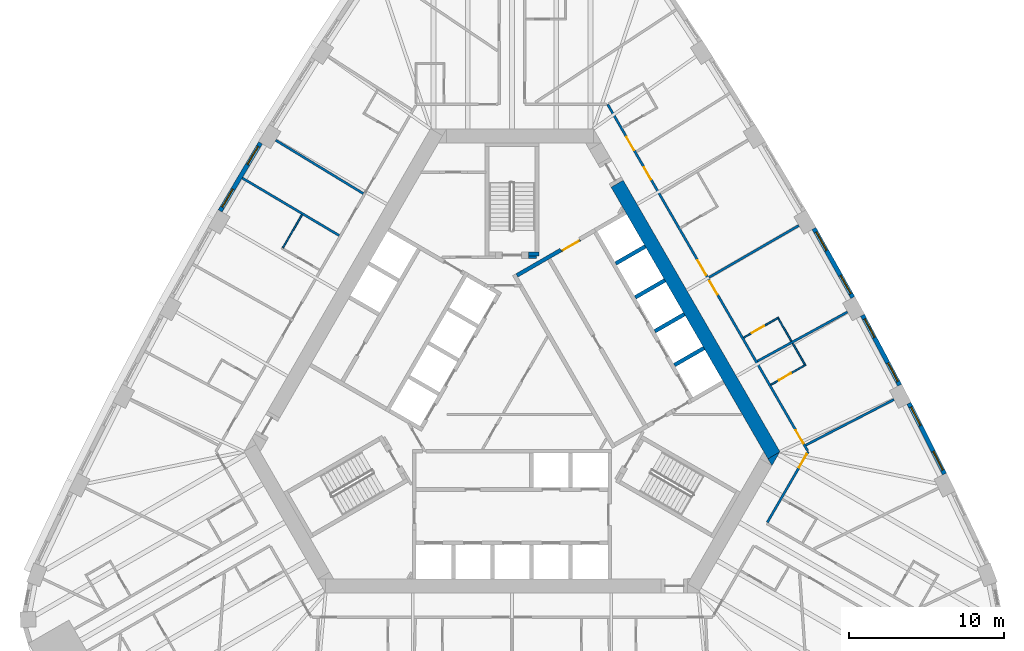
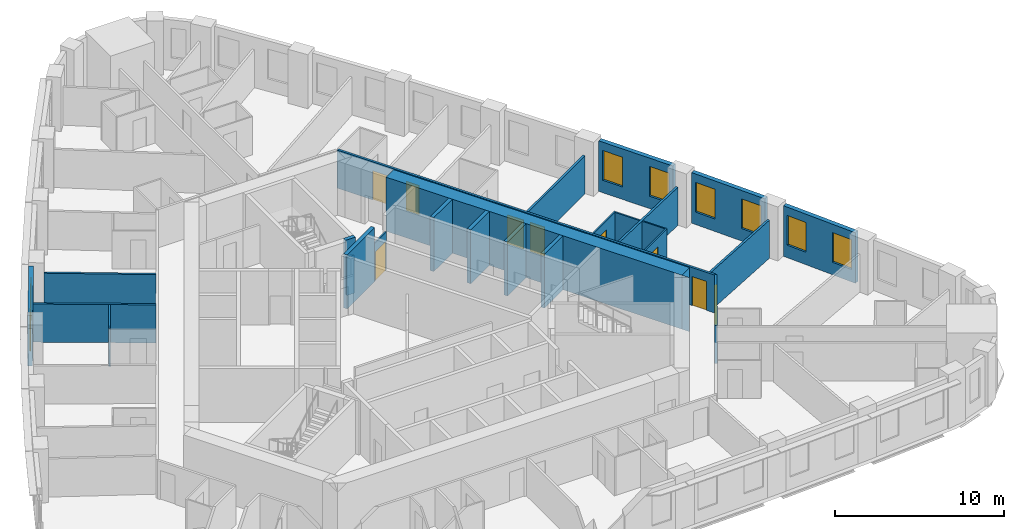
# One storey, part 9 of 13: 26 walls, 9 doors, 8 windows, 17 openings.
"""IFC4 building model written with IfcOpenShell, lengths in metres."""

from ifc_helpers import new_model, si_unit, direction, frame, frame_2d, origin, place, context, subcontext, project, spatial, polyline, rectangle, outline, extrude, material, layer, layer_set, type_object, element, fill, save


model = new_model("IFC4")

# Units and contexts
model_context = context("Model", 3, precision=1e-05, world=origin(), true_north=direction((0.0, 1.0)))
body_context = subcontext(model_context, "Body", "Model", "MODEL_VIEW")
ifc_project = project(units=[si_unit("LENGTHUNIT", "METRE"), si_unit("AREAUNIT", "SQUARE_METRE"), si_unit("VOLUMEUNIT", "CUBIC_METRE"), si_unit("PLANEANGLEUNIT", "RADIAN"), si_unit("MASSUNIT", "GRAM", prefix="KILO")], contexts=[model_context])

# Site, building, storey
site_placement = place(None, origin())
site = spatial("IfcSite", under=ifc_project, at=site_placement, CompositionType="ELEMENT")
building_placement = place(site_placement, origin())
building = spatial("IfcBuilding", under=site, at=building_placement, Name="Mestral Congress Tower", CompositionType="ELEMENT")
storey_placement = place(building_placement, frame((0.0, 0.0, 95.39990234375)))
storey = spatial("IfcBuildingStorey", under=building, at=storey_placement, Name="L22", CompositionType="ELEMENT", Elevation=95.39990234375)

# Wall
ifc_material_1 = material(Name="Fire-rated board partition")
ifc_layer_1 = layer(ifc_material_1, 0.14990234375)
ifc_layer_set_1 = layer_set([ifc_layer_1], Name="Fire-rated board partition")
wall_type_1 = type_object("IfcWallType", Name="Core partition 150", PredefinedType="PARTITIONING", material=ifc_layer_set_1)
wall_1_placement = place(storey_placement, frame((1.050048828125, 8.62548828125, 0.0), z_axis=(0.0, 0.0, 1.0), x_axis=(1.0, 0.0, 0.0)))
element("IfcWall", 1, at=wall_1_placement, inside=storey, type_object=wall_type_1, Name="L22 core wall", PredefinedType="PARTITIONING", context=body_context, shape_type="SweptSolid", body=[
    extrude(rectangle(XDim=0.513916015625, YDim=0.14990234375, at=frame_2d((0.2568359375, 0.0))), origin(), (0.0, 0.0, 1.0), 2.75),
])

# Wall, opening, door
ifc_layer_2 = layer(ifc_material_1, 0.090087890625)
ifc_layer_set_2 = layer_set([ifc_layer_2], Name="Fire-rated board partition")
wall_type_2 = type_object("IfcWallType", Name="Core partition 150 door-wall 90", PredefinedType="PARTITIONING", material=ifc_layer_set_2)
wall_2_placement = place(storey_placement, frame((3.182861328125, 9.02001953125, 0.0), z_axis=(0.0, 0.0, 1.0), x_axis=(0.866034573852, 0.49998411664, 0.0)))
wall_2 = element("IfcWall", 2, at=wall_2_placement, inside=storey, type_object=wall_type_2, Name="L22 door wall", PredefinedType="PARTITIONING", context=body_context, shape_type="SweptSolid", body=[
    extrude(rectangle(XDim=1.39990234375, YDim=0.090087890625, at=frame_2d((0.699951171875, 0.0))), origin(), (0.0, 0.0, 1.0), 2.75),
])
opening_1_placement = place(wall_2_placement, frame((0.10009765625, 0.0, 0.0)))
opening_1 = element("IfcOpeningElement", 3, at=opening_1_placement, cuts=wall_2, Name="Opening LB1-WL2", PredefinedType="OPENING", context=body_context, shape_type="SweptSolid", body=[
    extrude(rectangle(XDim=1.199951171875, YDim=2.10009765625, at=frame_2d((0.60009765625, 1.050048828125))), frame((0.0, 0.054931640625, 0.0), z_axis=(0.0, -1.0, 0.0), x_axis=(1.0, 0.0, 0.0)), (0.0, 0.0, 1.0), 0.110107421875),
])
ifc_material_2 = material(Name="Fire-rated steel door set", Category="steel")
door_type_1 = type_object("IfcDoorType", Name="Core door LB 1200x2100", OperationType="SINGLE_SWING_LEFT", PredefinedType="DOOR", material=ifc_material_2)
door_1_placement = place(opening_1_placement, origin())
door_1 = element("IfcDoor", 4, at=door_1_placement, inside=storey, type_object=door_type_1, Name="Door LB1-WL2", OperationType="SINGLE_SWING_LEFT", OverallHeight=2.10009765625, OverallWidth=1.199951171875, PredefinedType="DOOR", context=body_context, shape_type="SweptSolid", body=[
    extrude(rectangle(XDim=1.199951171875, YDim=2.10009765625, at=frame_2d((0.60009765625, 1.050048828125))), frame((0.0, 0.02490234375, 0.0), z_axis=(0.0, -1.0, 0.0), x_axis=(1.0, 0.0, 0.0)), (0.0, 0.0, 1.0), 0.050048828125),
])
fill(opening_1, door_1)

# Walls
ifc_material_3 = material(Name="Concrete C60/75", Category="concrete")
ifc_layer_3 = layer(ifc_material_3, 0.89990234375)
ifc_layer_set_3 = layer_set([ifc_layer_3], Name="Concrete C60/75")
wall_type_3 = type_object("IfcWallType", Name="Core wall RC 900", PredefinedType="SOLIDWALL", material=ifc_layer_set_3)
wall_3_placement = place(storey_placement, frame((6.77587890625, 13.36376953125, 0.0), z_axis=(0.0, 0.0, 1.0), x_axis=(0.500004177138, -0.8660229921, 0.0)))
element("IfcWall", 5, at=wall_3_placement, inside=storey, type_object=wall_type_3, Name="L22 core wall", PredefinedType="SOLIDWALL", context=body_context, shape_type="SweptSolid", body=[
    extrude(rectangle(XDim=20.203857421875, YDim=0.89990234375, at=frame_2d((10.10205078125, 0.0))), origin(), (0.0, 0.0, 1.0), 3.900146484375),
])
wall_4_placement = place(storey_placement, origin())
element("IfcWall", 6, at=wall_4_placement, inside=storey, type_object=wall_type_3, Name="L22 core wall", PredefinedType="SOLIDWALL", context=body_context, shape_type="SweptSolid", body=[
    extrude(outline(polyline([(16.7431640625, -4.800048828125), (16.4892578125, -4.360107421875), (17.251220703125, -3.920166015625), (16.7431640625, -4.800048828125)])), origin(), (0.0, 0.0, 1.0), 3.900146484375),
])

# Wall, openings, windows
ifc_material_4 = material(Name="Precast concrete C40/50 with limestone facing", Category="masonry")
ifc_layer_4 = layer(ifc_material_4, 0.2900390625)
ifc_layer_set_4 = layer_set([ifc_layer_4], Name="Precast concrete C40/50 with limestone facing")
wall_type_4 = type_object("IfcWallType", Name="Facade stone wall 290", PredefinedType="SOLIDWALL", material=ifc_layer_set_4)
wall_5_placement = place(storey_placement, frame((27.864013671875, -5.336181640625, 0.0), z_axis=(0.0, 0.0, 1.0), x_axis=(-0.448534297211, 0.893765620409, 0.0)))
wall_5 = element("IfcWall", 7, at=wall_5_placement, inside=storey, type_object=wall_type_4, Name="Facade wall F1-01", PredefinedType="SOLIDWALL", context=body_context, shape_type="SweptSolid", body=[
    extrude(rectangle(XDim=5.10009765625, YDim=0.2900390625, at=frame_2d((2.550048828125, 0.0))), origin(), (0.0, 0.0, 1.0), 3.650146484375),
])
opening_2_placement = place(wall_5_placement, frame((0.2724609375, 0.0, 0.89990234375)))
opening_2 = element("IfcOpeningElement", 8, at=opening_2_placement, cuts=wall_5, Name="Opening W2", PredefinedType="OPENING", context=body_context, shape_type="SweptSolid", body=[
    extrude(rectangle(XDim=1.35009765625, YDim=2.14990234375, at=frame_2d((0.675048828125, 1.074951171875))), frame((0.0, 0.155029296875, 0.0), z_axis=(0.0, -1.0, 0.0), x_axis=(1.0, 0.0, 0.0)), (0.0, 0.0, 1.0), 0.31005859375),
])
opening_3_placement = place(wall_5_placement, frame((3.477783203125, 0.0, 0.89990234375)))
opening_3 = element("IfcOpeningElement", 9, at=opening_3_placement, cuts=wall_5, Name="Opening W2", PredefinedType="OPENING", context=body_context, shape_type="SweptSolid", body=[
    extrude(rectangle(XDim=1.35009765625, YDim=2.14990234375, at=frame_2d((0.675048828125, 1.074951171875))), frame((0.0, 0.155029296875, 0.0), z_axis=(0.0, -1.0, 0.0), x_axis=(1.0, 0.0, 0.0)), (0.0, 0.0, 1.0), 0.31005859375),
])
ifc_material_5 = material(Name="Clear low-emissivity double glazing", Category="glass")
window_type = type_object("IfcWindowType", Name="Facade punched window 1350 x 2150 sill 900", PartitioningType="DOUBLE_PANEL_VERTICAL", PredefinedType="WINDOW", material=ifc_material_5)
window_1_placement = place(opening_2_placement, origin())
window_1 = element("IfcWindow", 10, at=window_1_placement, inside=storey, type_object=window_type, Name="Window F1-01a", OverallHeight=2.14990234375, OverallWidth=1.35009765625, PartitioningType="DOUBLE_PANEL_VERTICAL", PredefinedType="WINDOW", context=body_context, shape_type="SweptSolid", body=[
    extrude(rectangle(XDim=1.35009765625, YDim=2.14990234375, at=frame_2d((0.675048828125, 1.074951171875))), frame((0.0, 0.01513671875, 0.0), z_axis=(0.0, -1.0, 0.0), x_axis=(1.0, 0.0, 0.0)), (0.0, 0.0, 1.0), 0.06005859375),
])
fill(opening_2, window_1)
window_2_placement = place(opening_3_placement, origin())
window_2 = element("IfcWindow", 11, at=window_2_placement, inside=storey, type_object=window_type, Name="Window F1-01b", OverallHeight=2.14990234375, OverallWidth=1.35009765625, PartitioningType="DOUBLE_PANEL_VERTICAL", PredefinedType="WINDOW", context=body_context, shape_type="SweptSolid", body=[
    extrude(rectangle(XDim=1.35009765625, YDim=2.14990234375, at=frame_2d((0.675048828125, 1.074951171875))), frame((0.0, 0.01513671875, 0.0), z_axis=(0.0, -1.0, 0.0), x_axis=(1.0, 0.0, 0.0)), (0.0, 0.0, 1.0), 0.06005859375),
])
fill(opening_3, window_2)

wall_6_placement = place(storey_placement, frame((24.976806640625, 0.3828125, 0.0), z_axis=(0.0, 0.0, 1.0), x_axis=(-0.469323203119, 0.883026461106, 0.0)))
wall_6 = element("IfcWall", 12, at=wall_6_placement, inside=storey, type_object=wall_type_4, Name="Facade wall F1-02", PredefinedType="SOLIDWALL", context=body_context, shape_type="SweptSolid", body=[
    extrude(rectangle(XDim=5.1005859375, YDim=0.2900390625, at=frame_2d((2.55029296875, 0.0))), origin(), (0.0, 0.0, 1.0), 3.650146484375),
])
opening_4_placement = place(wall_6_placement, frame((0.272705078125, 0.0, 0.89990234375)))
opening_4 = element("IfcOpeningElement", 13, at=opening_4_placement, cuts=wall_6, Name="Opening W2", PredefinedType="OPENING", context=body_context, shape_type="SweptSolid", body=[
    extrude(rectangle(XDim=1.35009765625, YDim=2.14990234375, at=frame_2d((0.675048828125, 1.074951171875))), frame((0.0, 0.155029296875, 0.0), z_axis=(0.0, -1.0, 0.0), x_axis=(1.0, 0.0, 0.0)), (0.0, 0.0, 1.0), 0.31005859375),
])
opening_5_placement = place(wall_6_placement, frame((3.477783203125, 0.0, 0.89990234375)))
opening_5 = element("IfcOpeningElement", 14, at=opening_5_placement, cuts=wall_6, Name="Opening W2", PredefinedType="OPENING", context=body_context, shape_type="SweptSolid", body=[
    extrude(rectangle(XDim=1.35009765625, YDim=2.14990234375, at=frame_2d((0.675048828125, 1.074951171875))), frame((0.0, 0.155029296875, 0.0), z_axis=(0.0, -1.0, 0.0), x_axis=(1.0, 0.0, 0.0)), (0.0, 0.0, 1.0), 0.31005859375),
])
window_3_placement = place(opening_4_placement, origin())
window_3 = element("IfcWindow", 15, at=window_3_placement, inside=storey, type_object=window_type, Name="Window F1-02a", OverallHeight=2.14990234375, OverallWidth=1.35009765625, PartitioningType="DOUBLE_PANEL_VERTICAL", PredefinedType="WINDOW", context=body_context, shape_type="SweptSolid", body=[
    extrude(rectangle(XDim=1.35009765625, YDim=2.14990234375, at=frame_2d((0.675048828125, 1.074951171875))), frame((0.0, 0.01513671875, 0.0), z_axis=(0.0, -1.0, 0.0), x_axis=(1.0, 0.0, 0.0)), (0.0, 0.0, 1.0), 0.06005859375),
])
fill(opening_4, window_3)
window_4_placement = place(opening_5_placement, origin())
window_4 = element("IfcWindow", 16, at=window_4_placement, inside=storey, type_object=window_type, Name="Window F1-02b", OverallHeight=2.14990234375, OverallWidth=1.35009765625, PartitioningType="DOUBLE_PANEL_VERTICAL", PredefinedType="WINDOW", context=body_context, shape_type="SweptSolid", body=[
    extrude(rectangle(XDim=1.35009765625, YDim=2.14990234375, at=frame_2d((0.675048828125, 1.074951171875))), frame((0.0, 0.01513671875, 0.0), z_axis=(0.0, -1.0, 0.0), x_axis=(1.0, 0.0, 0.0)), (0.0, 0.0, 1.0), 0.06005859375),
])
fill(opening_5, window_4)

wall_7_placement = place(storey_placement, frame((21.956298828125, 6.033203125, 0.0), z_axis=(0.0, 0.0, 1.0), x_axis=(-0.48983164787, 0.87181704316, 0.0)))
wall_7 = element("IfcWall", 17, at=wall_7_placement, inside=storey, type_object=wall_type_4, Name="Facade wall F1-03", PredefinedType="SOLIDWALL", context=body_context, shape_type="SweptSolid", body=[
    extrude(rectangle(XDim=5.100341796875, YDim=0.2900390625, at=frame_2d((2.55029296875, 0.0))), origin(), (0.0, 0.0, 1.0), 3.650146484375),
])
opening_6_placement = place(wall_7_placement, frame((0.272705078125, 0.0, 0.89990234375)))
opening_6 = element("IfcOpeningElement", 18, at=opening_6_placement, cuts=wall_7, Name="Opening W2", PredefinedType="OPENING", context=body_context, shape_type="SweptSolid", body=[
    extrude(rectangle(XDim=1.35009765625, YDim=2.14990234375, at=frame_2d((0.675048828125, 1.074951171875))), frame((0.0, 0.155029296875, 0.0), z_axis=(0.0, -1.0, 0.0), x_axis=(1.0, 0.0, 0.0)), (0.0, 0.0, 1.0), 0.31005859375),
])
opening_7_placement = place(wall_7_placement, frame((3.477783203125, 0.0, 0.89990234375)))
opening_7 = element("IfcOpeningElement", 19, at=opening_7_placement, cuts=wall_7, Name="Opening W2", PredefinedType="OPENING", context=body_context, shape_type="SweptSolid", body=[
    extrude(rectangle(XDim=1.35009765625, YDim=2.14990234375, at=frame_2d((0.675048828125, 1.074951171875))), frame((0.0, 0.155029296875, 0.0), z_axis=(0.0, -1.0, 0.0), x_axis=(1.0, 0.0, 0.0)), (0.0, 0.0, 1.0), 0.31005859375),
])
window_5_placement = place(opening_6_placement, origin())
window_5 = element("IfcWindow", 20, at=window_5_placement, inside=storey, type_object=window_type, Name="Window F1-03a", OverallHeight=2.14990234375, OverallWidth=1.35009765625, PartitioningType="DOUBLE_PANEL_VERTICAL", PredefinedType="WINDOW", context=body_context, shape_type="SweptSolid", body=[
    extrude(rectangle(XDim=1.35009765625, YDim=2.14990234375, at=frame_2d((0.675048828125, 1.074951171875))), frame((0.0, 0.01513671875, 0.0), z_axis=(0.0, -1.0, 0.0), x_axis=(1.0, 0.0, 0.0)), (0.0, 0.0, 1.0), 0.06005859375),
])
fill(opening_6, window_5)
window_6_placement = place(opening_7_placement, origin())
window_6 = element("IfcWindow", 21, at=window_6_placement, inside=storey, type_object=window_type, Name="Window F1-03b", OverallHeight=2.14990234375, OverallWidth=1.35009765625, PartitioningType="DOUBLE_PANEL_VERTICAL", PredefinedType="WINDOW", context=body_context, shape_type="SweptSolid", body=[
    extrude(rectangle(XDim=1.35009765625, YDim=2.14990234375, at=frame_2d((0.675048828125, 1.074951171875))), frame((0.0, 0.01513671875, 0.0), z_axis=(0.0, -1.0, 0.0), x_axis=(1.0, 0.0, 0.0)), (0.0, 0.0, 1.0), 0.06005859375),
])
fill(opening_7, window_6)

wall_8_placement = place(storey_placement, frame((-16.203125, 15.998291015625, 0.0), z_axis=(0.0, 0.0, 1.0), x_axis=(-0.510054281659, -0.860142214847, 0.0)))
wall_8 = element("IfcWall", 22, at=wall_8_placement, inside=storey, type_object=wall_type_4, Name="Facade wall F2-03", PredefinedType="SOLIDWALL", context=body_context, shape_type="SweptSolid", body=[
    extrude(rectangle(XDim=5.1005859375, YDim=0.2900390625, at=frame_2d((2.55029296875, 0.0))), origin(), (0.0, 0.0, 1.0), 3.650146484375),
])
opening_8_placement = place(wall_8_placement, frame((0.272705078125, 0.0, 0.89990234375)))
opening_8 = element("IfcOpeningElement", 23, at=opening_8_placement, cuts=wall_8, Name="Opening W2", PredefinedType="OPENING", context=body_context, shape_type="SweptSolid", body=[
    extrude(rectangle(XDim=1.35009765625, YDim=2.14990234375, at=frame_2d((0.675048828125, 1.074951171875))), frame((0.0, 0.155029296875, 0.0), z_axis=(0.0, -1.0, 0.0), x_axis=(1.0, 0.0, 0.0)), (0.0, 0.0, 1.0), 0.31005859375),
])
opening_9_placement = place(wall_8_placement, frame((3.477783203125, 0.0, 0.89990234375)))
opening_9 = element("IfcOpeningElement", 24, at=opening_9_placement, cuts=wall_8, Name="Opening W2", PredefinedType="OPENING", context=body_context, shape_type="SweptSolid", body=[
    extrude(rectangle(XDim=1.35009765625, YDim=2.14990234375, at=frame_2d((0.675048828125, 1.074951171875))), frame((0.0, 0.155029296875, 0.0), z_axis=(0.0, -1.0, 0.0), x_axis=(1.0, 0.0, 0.0)), (0.0, 0.0, 1.0), 0.31005859375),
])
window_7_placement = place(opening_8_placement, origin())
window_7 = element("IfcWindow", 25, at=window_7_placement, inside=storey, type_object=window_type, Name="Window F2-03a", OverallHeight=2.14990234375, OverallWidth=1.35009765625, PartitioningType="DOUBLE_PANEL_VERTICAL", PredefinedType="WINDOW", context=body_context, shape_type="SweptSolid", body=[
    extrude(rectangle(XDim=1.35009765625, YDim=2.14990234375, at=frame_2d((0.675048828125, 1.074951171875))), frame((0.0, 0.01513671875, 0.0), z_axis=(0.0, -1.0, 0.0), x_axis=(1.0, 0.0, 0.0)), (0.0, 0.0, 1.0), 0.06005859375),
])
fill(opening_8, window_7)
window_8_placement = place(opening_9_placement, origin())
window_8 = element("IfcWindow", 26, at=window_8_placement, inside=storey, type_object=window_type, Name="Window F2-03b", OverallHeight=2.14990234375, OverallWidth=1.35009765625, PartitioningType="DOUBLE_PANEL_VERTICAL", PredefinedType="WINDOW", context=body_context, shape_type="SweptSolid", body=[
    extrude(rectangle(XDim=1.35009765625, YDim=2.14990234375, at=frame_2d((0.675048828125, 1.074951171875))), frame((0.0, 0.01513671875, 0.0), z_axis=(0.0, -1.0, 0.0), x_axis=(1.0, 0.0, 0.0)), (0.0, 0.0, 1.0), 0.06005859375),
])
fill(opening_9, window_8)

# Wall, opening, door
ifc_material_6 = material(Name="Gypsum board partition on metal studs with mineral wool", Category="composite")
ifc_layer_5 = layer(ifc_material_6, 0.10009765625)
ifc_layer_set_5 = layer_set([ifc_layer_5], Name="Gypsum board partition on metal studs with mineral wool")
wall_type_5 = type_object("IfcWallType", Name="Hotel partition wall 100", PredefinedType="PARTITIONING", material=ifc_layer_set_5)
wall_9_placement = place(storey_placement, frame((16.681396484375, 0.406982421875, 0.0), z_axis=(0.0, 0.0, 1.0), x_axis=(0.866021400173, 0.500006934395, 0.0)))
wall_9 = element("IfcWall", 27, at=wall_9_placement, inside=storey, type_object=wall_type_5, Name="L22-h-pod11a", PredefinedType="PARTITIONING", context=body_context, shape_type="SweptSolid", body=[
    extrude(rectangle(XDim=2.60009765625, YDim=0.10009765625, at=frame_2d((1.300048828125, 0.0))), origin(), (0.0, 0.0, 1.0), 2.75),
])
opening_10_placement = place(wall_9_placement, frame((0.60009765625, 0.0, 0.0)))
opening_10 = element("IfcOpeningElement", 28, at=opening_10_placement, cuts=wall_9, Name="Opening H07-022", PredefinedType="OPENING", context=body_context, shape_type="SweptSolid", body=[
    extrude(rectangle(XDim=0.89990234375, YDim=2.10009765625, at=frame_2d((0.449951171875, 1.050048828125))), frame((0.0, 0.06005859375, 0.0), z_axis=(0.0, -1.0, 0.0), x_axis=(1.0, 0.0, 0.0)), (0.0, 0.0, 1.0), 0.1201171875),
])
ifc_material_7 = material(Name="Timber veneer door leaf in timber frame", Category="wood")
door_type_2 = type_object("IfcDoorType", Name="Bathroom door 900", OperationType="SINGLE_SWING_LEFT", PredefinedType="DOOR", material=ifc_material_7)
door_2_placement = place(opening_10_placement, origin())
door_2 = element("IfcDoor", 29, at=door_2_placement, inside=storey, type_object=door_type_2, Name="L22-h-d022", OperationType="SINGLE_SWING_LEFT", OverallHeight=2.10009765625, OverallWidth=0.89990234375, PredefinedType="DOOR", context=body_context, shape_type="SweptSolid", body=[
    extrude(rectangle(XDim=0.89990234375, YDim=2.10009765625, at=frame_2d((0.449951171875, 1.050048828125))), frame((0.0, 0.02490234375, 0.0), z_axis=(0.0, -1.0, 0.0), x_axis=(1.0, 0.0, 0.0)), (0.0, 0.0, 1.0), 0.050048828125),
])
fill(opening_10, door_2)

# Wall
wall_10_placement = place(storey_placement, frame((18.85986328125, 1.73388671875, 0.0), z_axis=(0.0, 0.0, 1.0), x_axis=(-0.500017819788, 0.86601511528, 0.0)))
element("IfcWall", 30, at=wall_10_placement, inside=storey, type_object=wall_type_5, Name="L22-h-pod11b", PredefinedType="PARTITIONING", context=body_context, shape_type="SweptSolid", body=[
    extrude(rectangle(XDim=1.55029296875, YDim=0.10009765625, at=frame_2d((0.775146484375, 0.0))), origin(), (0.0, 0.0, 1.0), 2.75),
])

# Wall, opening, door
wall_11_placement = place(storey_placement, frame((17.17919921875, 4.7451171875, 0.0), z_axis=(0.0, 0.0, 1.0), x_axis=(-0.866021400173, -0.500006934395, 0.0)))
wall_11 = element("IfcWall", 31, at=wall_11_placement, inside=storey, type_object=wall_type_5, Name="L22-h-pod12a", PredefinedType="PARTITIONING", context=body_context, shape_type="SweptSolid", body=[
    extrude(rectangle(XDim=2.60009765625, YDim=0.10009765625, at=frame_2d((1.300048828125, 0.0))), origin(), (0.0, 0.0, 1.0), 2.75),
])
opening_11_placement = place(wall_11_placement, frame((1.10009765625, 0.0, 0.0)))
opening_11 = element("IfcOpeningElement", 32, at=opening_11_placement, cuts=wall_11, Name="Opening H07-024", PredefinedType="OPENING", context=body_context, shape_type="SweptSolid", body=[
    extrude(rectangle(XDim=0.89990234375, YDim=2.10009765625, at=frame_2d((0.449951171875, 1.050048828125))), frame((0.0, 0.06005859375, 0.0), z_axis=(0.0, -1.0, 0.0), x_axis=(1.0, 0.0, 0.0)), (0.0, 0.0, 1.0), 0.1201171875),
])
door_3_placement = place(opening_11_placement, origin())
door_3 = element("IfcDoor", 33, at=door_3_placement, inside=storey, type_object=door_type_2, Name="L22-h-d024", OperationType="SINGLE_SWING_RIGHT", OverallHeight=2.10009765625, OverallWidth=0.89990234375, PredefinedType="DOOR", context=body_context, shape_type="SweptSolid", body=[
    extrude(rectangle(XDim=0.89990234375, YDim=2.10009765625, at=frame_2d((0.449951171875, 1.050048828125))), frame((0.0, 0.02490234375, 0.0), z_axis=(0.0, -1.0, 0.0), x_axis=(1.0, 0.0, 0.0)), (0.0, 0.0, 1.0), 0.050048828125),
])
fill(opening_11, door_3)

# Walls
wall_12_placement = place(storey_placement, frame((17.160888671875, 4.6767578125, 0.0), z_axis=(0.0, 0.0, 1.0), x_axis=(0.499890179513, -0.866088799389, 0.0)))
element("IfcWall", 34, at=wall_12_placement, inside=storey, type_object=wall_type_5, Name="L22-h-pod12b", PredefinedType="PARTITIONING", context=body_context, shape_type="SweptSolid", body=[
    extrude(rectangle(XDim=1.68017578125, YDim=0.10009765625, at=frame_2d((0.840087890625, 0.0))), origin(), (0.0, 0.0, 1.0), 2.75),
])
wall_13_placement = place(storey_placement, frame((-14.761962890625, 9.2314453125, 0.0), z_axis=(0.0, 0.0, 1.0), x_axis=(0.500003092839, 0.866023618125, 0.0)))
element("IfcWall", 35, at=wall_13_placement, inside=storey, type_object=wall_type_5, Name="L22-h-pod22b", PredefinedType="PARTITIONING", context=body_context, shape_type="SweptSolid", body=[
    extrude(rectangle(XDim=2.4599609375, YDim=0.10009765625, at=frame_2d((1.22998046875, 0.0))), origin(), (0.0, 0.0, 1.0), 2.75),
])

# Wall, opening, door
ifc_layer_6 = layer(ifc_material_6, 0.14990234375)
ifc_layer_set_6 = layer_set([ifc_layer_6], Name="Gypsum board partition on metal studs with mineral wool")
wall_type_6 = type_object("IfcWallType", Name="Hotel partition wall 150", PredefinedType="PARTITIONING", material=ifc_layer_set_6)
wall_14_placement = place(storey_placement, frame((19.081298828125, -3.89990234375, 0.0), z_axis=(0.0, 0.0, 1.0), x_axis=(-0.499974327079, -0.866040225545, 0.0)))
wall_14 = element("IfcWall", 36, at=wall_14_placement, inside=storey, type_object=wall_type_6, Name="L22-h-cw02", PredefinedType="PARTITIONING", context=body_context, shape_type="SweptSolid", body=[
    extrude(rectangle(XDim=5.258056640625, YDim=0.14990234375, at=frame_2d((2.62890625, 0.0))), origin(), (0.0, 0.0, 1.0), 2.75),
])
opening_12_placement = place(wall_14_placement, frame((0.179931640625, 0.0, 0.0)))
opening_12 = element("IfcOpeningElement", 37, at=opening_12_placement, cuts=wall_14, Name="Opening H07-019", PredefinedType="OPENING", context=body_context, shape_type="SweptSolid", body=[
    extrude(rectangle(XDim=1.0, YDim=2.10009765625, at=frame_2d((0.5, 1.050048828125))), frame((0.0, 0.0849609375, 0.0), z_axis=(0.0, -1.0, 0.0), x_axis=(1.0, 0.0, 0.0)), (0.0, 0.0, 1.0), 0.169921875),
])
ifc_material_8 = material(Name="Timber veneer door leaf in metal frame", Category="wood")
door_type_3 = type_object("IfcDoorType", Name="Guest room entrance door 1000", OperationType="SINGLE_SWING_LEFT", PredefinedType="DOOR", material=ifc_material_8)
door_4_placement = place(opening_12_placement, origin())
door_4 = element("IfcDoor", 38, at=door_4_placement, inside=storey, type_object=door_type_3, Name="L22-h-d019", OperationType="SINGLE_SWING_LEFT", OverallHeight=2.10009765625, OverallWidth=1.0, PredefinedType="DOOR", context=body_context, shape_type="SweptSolid", body=[
    extrude(rectangle(XDim=1.0, YDim=2.10009765625, at=frame_2d((0.5, 1.050048828125))), frame((0.0, 0.02490234375, 0.0), z_axis=(0.0, -1.0, 0.0), x_axis=(1.0, 0.0, 0.0)), (0.0, 0.0, 1.0), 0.050048828125),
])
fill(opening_12, door_4)

# Wall, openings, doors
wall_15_placement = place(storey_placement, frame((6.1630859375, 18.47509765625, 0.0), z_axis=(0.0, 0.0, 1.0), x_axis=(0.500001317485, -0.866024643133, 0.0)))
wall_15 = element("IfcWall", 39, at=wall_15_placement, inside=storey, type_object=wall_type_6, Name="L22-h-cw03", PredefinedType="PARTITIONING", context=body_context, shape_type="SweptSolid", body=[
    extrude(rectangle(XDim=25.7666015625, YDim=0.14990234375, at=frame_2d((12.88330078125, 0.0))), origin(), (0.0, 0.0, 1.0), 2.75),
])
opening_13_placement = place(wall_15_placement, frame((24.24072265625, 0.0, 0.0)))
opening_13 = element("IfcOpeningElement", 40, at=opening_13_placement, cuts=wall_15, Name="Opening H07-021", PredefinedType="OPENING", context=body_context, shape_type="SweptSolid", body=[
    extrude(rectangle(XDim=1.0, YDim=2.10009765625, at=frame_2d((0.5, 1.050048828125))), frame((0.0, 0.0849609375, 0.0), z_axis=(0.0, -1.0, 0.0), x_axis=(1.0, 0.0, 0.0)), (0.0, 0.0, 1.0), 0.169921875),
])
opening_14_placement = place(wall_15_placement, frame((13.143798828125, 0.0, 0.0)))
opening_14 = element("IfcOpeningElement", 41, at=opening_14_placement, cuts=wall_15, Name="Opening H07-023", PredefinedType="OPENING", context=body_context, shape_type="SweptSolid", body=[
    extrude(rectangle(XDim=1.0, YDim=2.10009765625, at=frame_2d((0.5, 1.050048828125))), frame((0.0, 0.0849609375, 0.0), z_axis=(0.0, -1.0, 0.0), x_axis=(1.0, 0.0, 0.0)), (0.0, 0.0, 1.0), 0.169921875),
])
opening_15_placement = place(wall_15_placement, frame((11.59228515625, 0.0, 0.0)))
opening_15 = element("IfcOpeningElement", 42, at=opening_15_placement, cuts=wall_15, Name="Opening H07-025", PredefinedType="OPENING", context=body_context, shape_type="SweptSolid", body=[
    extrude(rectangle(XDim=1.10009765625, YDim=2.10009765625, at=frame_2d((0.550048828125, 1.050048828125))), frame((0.0, 0.0849609375, 0.0), z_axis=(0.0, -1.0, 0.0), x_axis=(1.0, 0.0, 0.0)), (0.0, 0.0, 1.0), 0.169921875),
])
opening_16_placement = place(wall_15_placement, frame((4.674072265625, 0.0, 0.0)))
opening_16 = element("IfcOpeningElement", 43, at=opening_16_placement, cuts=wall_15, Name="Opening H07-027", PredefinedType="OPENING", context=body_context, shape_type="SweptSolid", body=[
    extrude(rectangle(XDim=0.89990234375, YDim=2.10009765625, at=frame_2d((0.449951171875, 1.050048828125))), frame((0.0, 0.0849609375, 0.0), z_axis=(0.0, -1.0, 0.0), x_axis=(1.0, 0.0, 0.0)), (0.0, 0.0, 1.0), 0.169921875),
])
opening_17_placement = place(wall_15_placement, frame((2.410888671875, 0.0, 0.0)))
opening_17 = element("IfcOpeningElement", 44, at=opening_17_placement, cuts=wall_15, Name="Opening H07-028", PredefinedType="OPENING", context=body_context, shape_type="SweptSolid", body=[
    extrude(rectangle(XDim=1.0, YDim=2.10009765625, at=frame_2d((0.5, 1.050048828125))), frame((0.0, 0.0849609375, 0.0), z_axis=(0.0, -1.0, 0.0), x_axis=(1.0, 0.0, 0.0)), (0.0, 0.0, 1.0), 0.169921875),
])
door_type_4 = type_object("IfcDoorType", Name="Accessible room entrance door 1100", OperationType="SINGLE_SWING_LEFT", PredefinedType="DOOR", material=ifc_material_8)
door_5_placement = place(opening_15_placement, origin())
door_5 = element("IfcDoor", 45, at=door_5_placement, inside=storey, type_object=door_type_4, Name="L22-h-d025", OperationType="SINGLE_SWING_RIGHT", OverallHeight=2.10009765625, OverallWidth=1.10009765625, PredefinedType="DOOR", context=body_context, shape_type="SweptSolid", body=[
    extrude(rectangle(XDim=1.10009765625, YDim=2.10009765625, at=frame_2d((0.550048828125, 1.050048828125))), frame((0.0, 0.02490234375, 0.0), z_axis=(0.0, -1.0, 0.0), x_axis=(1.0, 0.0, 0.0)), (0.0, 0.0, 1.0), 0.050048828125),
])
fill(opening_15, door_5)
door_6_placement = place(opening_13_placement, origin())
door_6 = element("IfcDoor", 46, at=door_6_placement, inside=storey, type_object=door_type_3, Name="L22-h-d021", OperationType="SINGLE_SWING_RIGHT", OverallHeight=2.10009765625, OverallWidth=1.0, PredefinedType="DOOR", context=body_context, shape_type="SweptSolid", body=[
    extrude(rectangle(XDim=1.0, YDim=2.10009765625, at=frame_2d((0.5, 1.050048828125))), frame((0.0, 0.02490234375, 0.0), z_axis=(0.0, -1.0, 0.0), x_axis=(1.0, 0.0, 0.0)), (0.0, 0.0, 1.0), 0.050048828125),
])
fill(opening_13, door_6)
door_7_placement = place(opening_14_placement, origin())
door_7 = element("IfcDoor", 47, at=door_7_placement, inside=storey, type_object=door_type_3, Name="L22-h-d023", OperationType="SINGLE_SWING_LEFT", OverallHeight=2.10009765625, OverallWidth=1.0, PredefinedType="DOOR", context=body_context, shape_type="SweptSolid", body=[
    extrude(rectangle(XDim=1.0, YDim=2.10009765625, at=frame_2d((0.5, 1.050048828125))), frame((0.0, 0.02490234375, 0.0), z_axis=(0.0, -1.0, 0.0), x_axis=(1.0, 0.0, 0.0)), (0.0, 0.0, 1.0), 0.050048828125),
])
fill(opening_14, door_7)
door_8_placement = place(opening_17_placement, origin())
door_8 = element("IfcDoor", 48, at=door_8_placement, inside=storey, type_object=door_type_3, Name="L22-h-d028", OperationType="SINGLE_SWING_RIGHT", OverallHeight=2.10009765625, OverallWidth=1.0, PredefinedType="DOOR", context=body_context, shape_type="SweptSolid", body=[
    extrude(rectangle(XDim=1.0, YDim=2.10009765625, at=frame_2d((0.5, 1.050048828125))), frame((0.0, 0.02490234375, 0.0), z_axis=(0.0, -1.0, 0.0), x_axis=(1.0, 0.0, 0.0)), (0.0, 0.0, 1.0), 0.050048828125),
])
fill(opening_17, door_8)
door_type_5 = type_object("IfcDoorType", Name="Service room door 900", OperationType="SINGLE_SWING_LEFT", PredefinedType="DOOR", material=ifc_material_8)
door_9_placement = place(opening_16_placement, origin())
door_9 = element("IfcDoor", 49, at=door_9_placement, inside=storey, type_object=door_type_5, Name="L22-h-d027", OperationType="SINGLE_SWING_RIGHT", OverallHeight=2.10009765625, OverallWidth=0.89990234375, PredefinedType="DOOR", context=body_context, shape_type="SweptSolid", body=[
    extrude(rectangle(XDim=0.89990234375, YDim=2.10009765625, at=frame_2d((0.449951171875, 1.050048828125))), frame((0.0, 0.02490234375, 0.0), z_axis=(0.0, -1.0, 0.0), x_axis=(1.0, 0.0, 0.0)), (0.0, 0.0, 1.0), 0.050048828125),
])
fill(opening_16, door_9)

# Walls
wall_16_placement = place(storey_placement, frame((-17.379150390625, 13.730712890625, 0.0), z_axis=(0.0, 0.0, 1.0), x_axis=(0.860132461691, -0.510070728768, 0.0)))
element("IfcWall", 50, at=wall_16_placement, inside=storey, type_object=wall_type_6, Name="L22-h-pw09", PredefinedType="PARTITIONING", context=body_context, shape_type="SweptSolid", body=[
    extrude(rectangle(XDim=7.256591796875, YDim=0.14990234375, at=frame_2d((3.62841796875, 0.0))), origin(), (0.0, 0.0, 1.0), 2.75),
])
wall_17_placement = place(storey_placement, frame((-15.22509765625, 16.16748046875, 0.0), z_axis=(0.0, 0.0, 1.0), x_axis=(0.854088713274, -0.520127359266, 0.0)))
element("IfcWall", 51, at=wall_17_placement, inside=storey, type_object=wall_type_6, Name="L22-h-pw10", PredefinedType="PARTITIONING", context=body_context, shape_type="SweptSolid", body=[
    extrude(rectangle(XDim=6.61083984375, YDim=0.14990234375, at=frame_2d((3.305419921875, 0.0))), origin(), (0.0, 0.0, 1.0), 2.75),
])
wall_18_placement = place(storey_placement, frame((18.484130859375, 10.671875, 0.0), z_axis=(0.0, 0.0, 1.0), x_axis=(-0.866019162053, -0.50001081084, 0.0)))
element("IfcWall", 52, at=wall_18_placement, inside=storey, type_object=wall_type_6, Name="L22-h-pw23", PredefinedType="PARTITIONING", context=body_context, shape_type="SweptSolid", body=[
    extrude(rectangle(XDim=6.693603515625, YDim=0.14990234375, at=frame_2d((3.3466796875, 0.0))), origin(), (0.0, 0.0, 1.0), 2.75),
])
wall_19_placement = place(storey_placement, frame((21.614013671875, 5.1015625, 0.0), z_axis=(0.0, 0.0, 1.0), x_axis=(-0.877484555087, -0.479604895287, 0.0)))
element("IfcWall", 53, at=wall_19_placement, inside=storey, type_object=wall_type_6, Name="L22-h-pw24", PredefinedType="PARTITIONING", context=body_context, shape_type="SweptSolid", body=[
    extrude(rectangle(XDim=6.611083984375, YDim=0.14990234375, at=frame_2d((3.3056640625, 0.0))), origin(), (0.0, 0.0, 1.0), 2.75),
])
wall_20_placement = place(storey_placement, frame((24.612548828125, -0.54052734375, 0.0), z_axis=(0.0, 0.0, 1.0), x_axis=(-0.888459912519, -0.458954228487, 0.0)))
element("IfcWall", 54, at=wall_20_placement, inside=storey, type_object=wall_type_6, Name="L22-h-pw26", PredefinedType="PARTITIONING", context=body_context, shape_type="SweptSolid", body=[
    extrude(rectangle(XDim=6.391845703125, YDim=0.14990234375, at=frame_2d((3.19580078125, 0.0))), origin(), (0.0, 0.0, 1.0), 2.75),
])
ifc_layer_7 = layer(ifc_material_3, 0.25)
ifc_layer_set_7 = layer_set([ifc_layer_7], Name="Concrete C60/75")
wall_type_7 = type_object("IfcWallType", Name="Shaft wall RC 250", PredefinedType="SOLIDWALL", material=ifc_layer_set_7)
wall_21_placement = place(storey_placement, frame((10.463623046875, 1.676513671875, 0.0), z_axis=(0.0, 0.0, 1.0), x_axis=(0.86605622881, 0.499946605688, 0.0)))
element("IfcWall", 55, at=wall_21_placement, inside=storey, type_object=wall_type_7, Name="L22 core wall", PredefinedType="SOLIDWALL", context=body_context, shape_type="SweptSolid", body=[
    extrude(rectangle(XDim=2.199951171875, YDim=0.25, at=frame_2d((1.10009765625, 0.0))), origin(), (0.0, 0.0, 1.0), 3.900146484375),
])
wall_22_placement = place(storey_placement, frame((0.314208984375, 7.455810546875, 0.0), z_axis=(0.0, 0.0, 1.0), x_axis=(0.866013897511, 0.50001992892, 0.0)))
element("IfcWall", 56, at=wall_22_placement, inside=storey, type_object=wall_type_7, Name="L22 core wall", PredefinedType="SOLIDWALL", context=body_context, shape_type="SweptSolid", body=[
    extrude(rectangle(XDim=3.267822265625, YDim=0.25, at=frame_2d((1.6337890625, 0.0))), origin(), (0.0, 0.0, 1.0), 3.900146484375),
])
for number, where, z_axis, x_axis, name in (
    (57, (6.68359375, 8.2236328125, 0.0), (0.0, 0.0, 1.0), (0.86605622881, 0.499946605688, 0.0), "L22 core wall"),
    (58, (7.943603515625, 6.041259765625, 0.0), (0.0, 0.0, 1.0), (0.86605622881, 0.499946605688, 0.0), "L22 core wall"),
    (59, (9.20361328125, 3.85888671875, 0.0), (0.0, 0.0, 1.0), (0.86605622881, 0.499946605688, 0.0), "L22 core wall"),
):
    element("IfcWall", number, at=place(storey_placement, frame(where, z_axis=z_axis, x_axis=x_axis)), inside=storey, type_object=wall_type_7, Name=name, PredefinedType="SOLIDWALL", context=body_context, shape_type="SweptSolid", body=[
        extrude(rectangle(XDim=2.199951171875, YDim=0.25, at=frame_2d((1.10009765625, 0.0))), origin(), (0.0, 0.0, 1.0), 3.900146484375),
    ])
ifc_layer_8 = layer(ifc_material_3, 0.25)
ifc_layer_set_8 = layer_set([ifc_layer_8], Name="Concrete C60/75")
wall_type_8 = type_object("IfcWallType", Name="Stair wall RC 250", PredefinedType="SOLIDWALL", material=ifc_layer_set_8)
wall_23_placement = place(storey_placement, frame((1.050048828125, 8.824951171875, 0.0), z_axis=(0.0, 0.0, 1.0), x_axis=(1.0, 0.0, 0.0)))
element("IfcWall", 60, at=wall_23_placement, inside=storey, type_object=wall_type_8, Name="L22 core wall", PredefinedType="SOLIDWALL", context=body_context, shape_type="SweptSolid", body=[
    extrude(rectangle(XDim=0.675048828125, YDim=0.25, at=frame_2d((0.33740234375, 0.0))), origin(), (0.0, 0.0, 1.0), 3.900146484375),
])

save(model, "model.ifc")
